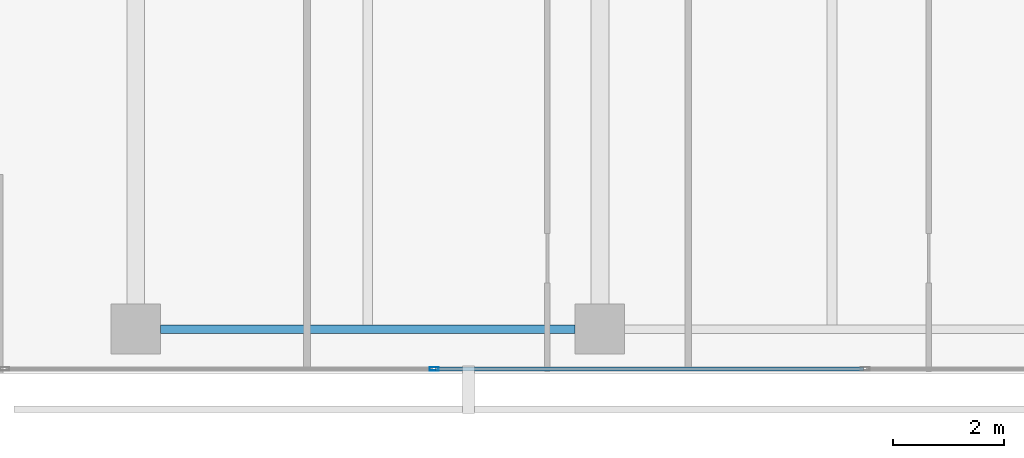
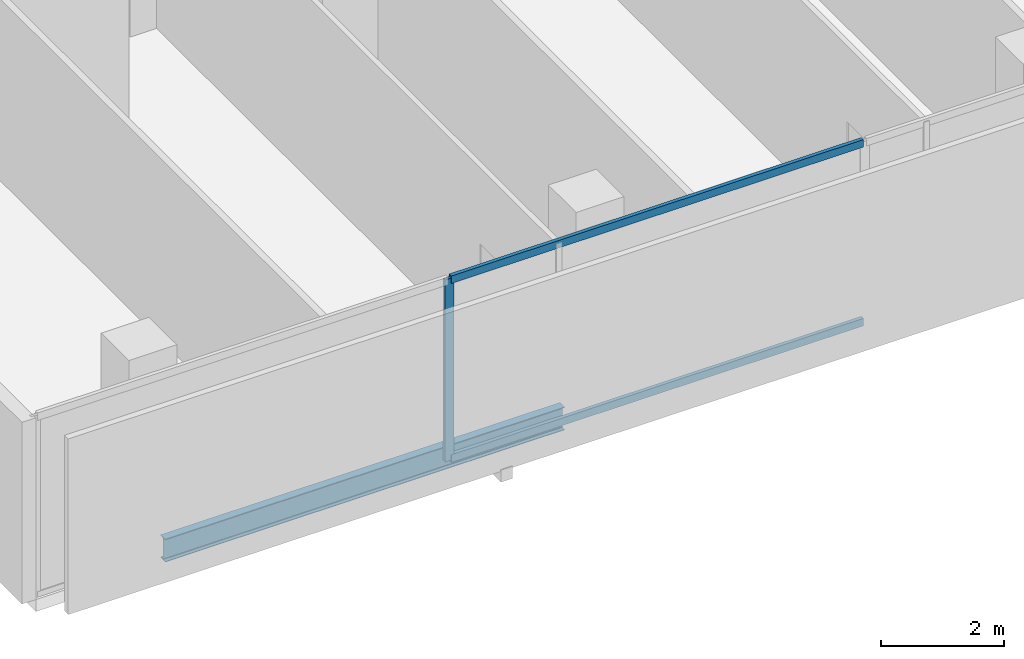
# One storey, part 3 of 41: 3 members, 1 beam, 1 element without a shape of its own.
"""IFC4 building model written with IfcOpenShell, lengths in metres."""

from ifc_helpers import new_model, si_unit, direction, frame, origin, origin_2d, place, context, subcontext, project, spatial, hollow_rectangle, i_section, extrude, material, layer, layer_set, material_profile, profile_set, type_object, element, aggregate, save


model = new_model("IFC4")

# Units and contexts
model_context = context("Model", 3, precision=1e-05, world=origin(), true_north=direction((0.0, 1.0)))
body_context = subcontext(model_context, "Body", "Model", "MODEL_VIEW")
ifc_project = project(units=[si_unit("LENGTHUNIT", "METRE"), si_unit("AREAUNIT", "SQUARE_METRE"), si_unit("VOLUMEUNIT", "CUBIC_METRE"), si_unit("PLANEANGLEUNIT", "RADIAN"), si_unit("MASSUNIT", "GRAM", prefix="KILO")], contexts=[model_context])

# Site, building, storey
site_placement = place(None, origin())
site = spatial("IfcSite", under=ifc_project, at=site_placement, CompositionType="ELEMENT")
building_placement = place(site_placement, origin())
building = spatial("IfcBuilding", under=site, at=building_placement, Name="Maruvema Waterfront Hotel and Observation Tower", CompositionType="ELEMENT")
storey_placement = place(building_placement, frame((0.0, 0.0, 84.699951171875)))
storey = spatial("IfcBuildingStorey", under=building, at=storey_placement, Name="L20", CompositionType="ELEMENT", Elevation=84.699951171875)

# Curtain wall, members
ifc_material_1 = material(Name="Anodised bronze aluminium and solar-control low-E IGU", Category="aluminium")
ifc_layer = layer(ifc_material_1, 0.159912109375, Name="Zone 1 Bronze Inner Thermal Curtain Wall System CW-02")
ifc_layer_set = layer_set([ifc_layer], Name="Anodised bronze aluminium and solar-control low-E IGU")
curtain_wall_type = type_object("IfcCurtainWallType", Name="Zone 1 Bronze Inner Thermal Curtain Wall System CW-02", PredefinedType="USERDEFINED", material=ifc_layer_set)
curtain_wall_placement = place(storey_placement, origin())
curtain_wall = element("IfcCurtainWall", 1, at=curtain_wall_placement, inside=storey, type_object=curtain_wall_type, Name="L20 Curtain Wall CW-L20-S", ObjectType="UNITISED CURTAIN WALL", PredefinedType="USERDEFINED")
ifc_material_2 = material(Name="Anodised architectural bronze aluminium", Category="aluminium")
ifc_material_profile_1 = material_profile(ifc_material_2, hollow_rectangle(XDim=0.070068359375, YDim=0.14990234375, WallThickness=0.00390625, at=origin_2d()), Name="ALU-T70x150")
ifc_profile_set_1 = profile_set([ifc_material_profile_1], Name="Anodised architectural bronze aluminium")
member_type_1 = type_object("IfcMemberType", Name="Curtain Wall Horizontal Transom ALU-T70x150", PredefinedType="USERDEFINED", material=ifc_profile_set_1)
member_1_placement = place(storey_placement, frame((22.22998046875, 0.080078125, 0.030029296875), z_axis=(1.0, 0.0, 0.0), x_axis=(0.0, 1.0, 0.0)))
member_1 = element("IfcMember", 2, at=member_1_placement, type_object=member_type_1, Name="CW-02 transom 2.1", ObjectType="TRANSOM", PredefinedType="USERDEFINED", context=body_context, shape_type="SweptSolid", body=[
    extrude(hollow_rectangle(XDim=0.070068359375, YDim=0.14990234375, WallThickness=0.00390625, at=origin_2d()), origin(), (0.0, 0.0, 1.0), 7.739990234375),
])
member_2_placement = place(storey_placement, frame((22.22998046875, 0.080078125, 3.580078125), z_axis=(1.0, 0.0, 0.0), x_axis=(0.0, 1.0, 0.0)))
member_2 = element("IfcMember", 3, at=member_2_placement, type_object=member_type_1, Name="CW-02 transom 2.2", ObjectType="TRANSOM", PredefinedType="USERDEFINED", context=body_context, shape_type="SweptSolid", body=[
    extrude(hollow_rectangle(XDim=0.070068359375, YDim=0.14990234375, WallThickness=0.00390625, at=origin_2d()), origin(), (0.0, 0.0, 1.0), 7.739990234375),
])
ifc_material_3 = material(Name="Anodised architectural bronze aluminium", Category="aluminium")
ifc_material_profile_2 = material_profile(ifc_material_3, hollow_rectangle(XDim=0.06494140625, YDim=0.1650390625, WallThickness=0.00390625, at=origin_2d()), Name="ALU-M65x165")
ifc_profile_set_2 = profile_set([ifc_material_profile_2], Name="Anodised architectural bronze aluminium")
member_type_2 = type_object("IfcMemberType", Name="Curtain Wall Primary Mullion ALU-M65x165", PredefinedType="MULLION", material=ifc_profile_set_2)
member_3_placement = place(storey_placement, frame((22.199951171875, 0.080078125, 0.0), z_axis=(0.0, 0.0, 1.0), x_axis=(0.0, 1.0, 0.0)))
member_3 = element("IfcMember", 4, at=member_3_placement, type_object=member_type_2, Name="CW-02 mullion 2", PredefinedType="MULLION", context=body_context, shape_type="SweptSolid", body=[
    extrude(hollow_rectangle(XDim=0.06494140625, YDim=0.1650390625, WallThickness=0.00390625, at=origin_2d()), origin(), (0.0, 0.0, 1.0), 3.610107421875),
])
aggregate(curtain_wall, [member_3, member_1, member_2])

# Beam
ifc_material_4 = material(Name="Steel ASTM A572 Grade 50", Category="steel")
ifc_material_profile_3 = material_profile(ifc_material_4, i_section(OverallWidth=0.153076171875, OverallDepth=0.455078125, WebThickness=0.008056640625, FlangeThickness=0.01318359375, FilletRadius=0.014892578125, at=origin_2d()), Name="W460x60.0")
ifc_profile_set_3 = profile_set([ifc_material_profile_3], Name="Steel ASTM A572 Grade 50")
beam_type = type_object("IfcBeamType", Name="Perimeter Spandrel Beam W460x60.0", PredefinedType="SPANDREL", material=ifc_profile_set_3)
beam_placement = place(storey_placement, frame((17.25, 0.800048828125, -0.467529296875), z_axis=(1.0, 0.0, 0.0), x_axis=(0.0, 1.0, 0.0)))
element("IfcBeam", 5, at=beam_placement, inside=storey, type_object=beam_type, Name="L20 Floor Girder EW-01", PredefinedType="SPANDREL", context=body_context, shape_type="SweptSolid", body=[
    extrude(i_section(OverallWidth=0.153076171875, OverallDepth=0.455078125, WebThickness=0.008056640625, FlangeThickness=0.01318359375, FilletRadius=0.014892578125, at=origin_2d()), origin(), (0.0, 0.0, 1.0), 7.5),
])

save(model, "model.ifc")
